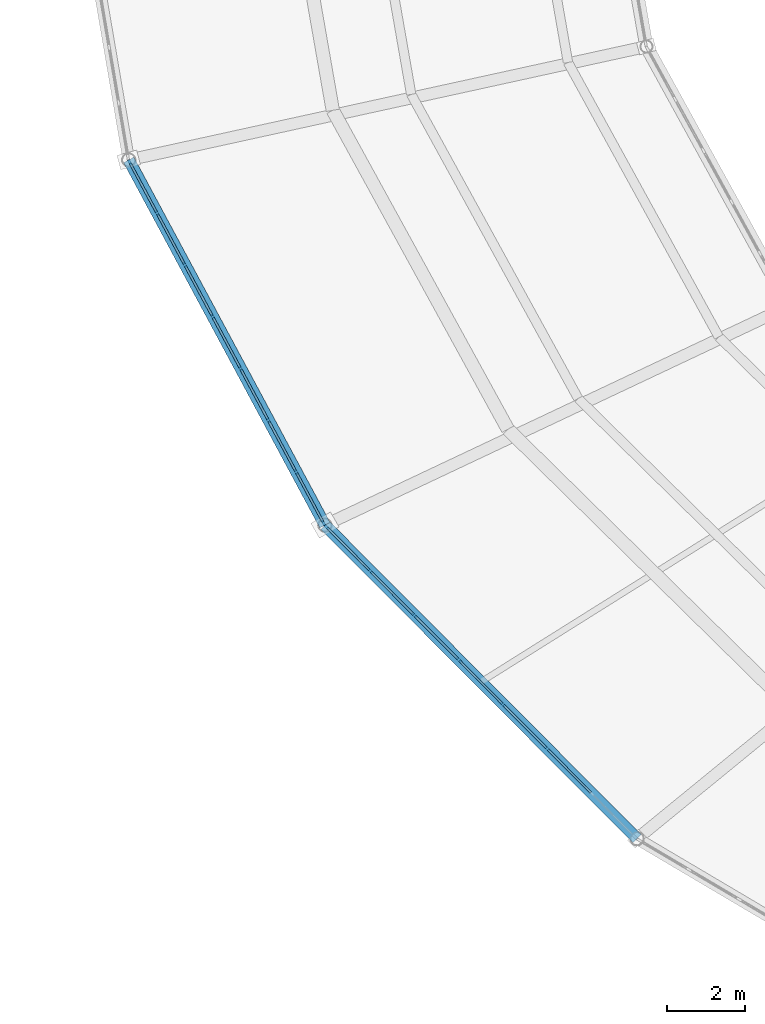
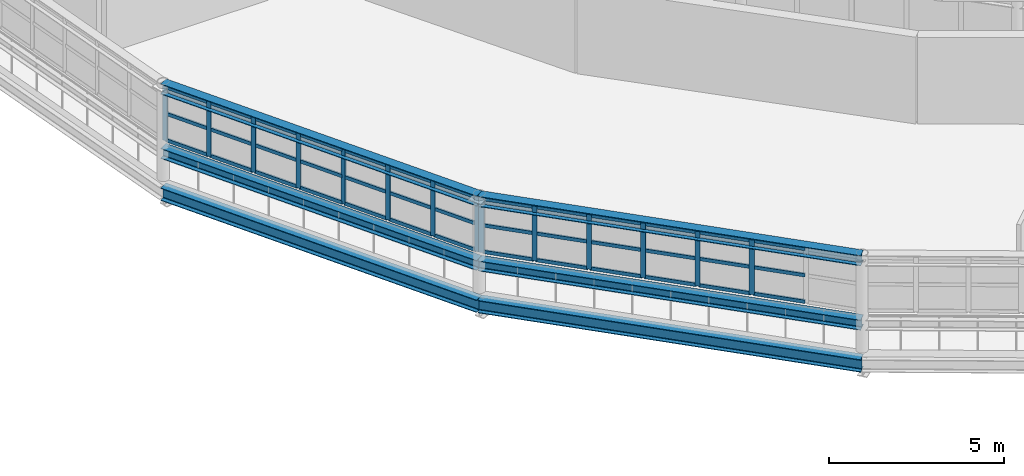
# One storey, part 38 of 123: 53 members, 6 beams, 2 elements without a shape of their own.
"""IFC4 building model written with IfcOpenShell, lengths in metres."""

from ifc_helpers import new_model, si_unit, direction, frame, origin, origin_2d, place, context, subcontext, project, spatial, rectangle, i_section, extrude, material, material_profile, profile_set, type_object, element, aggregate, save


model = new_model("IFC4")

# Units and contexts
model_context = context("Model", 3, precision=1e-05, world=origin(), true_north=direction((0.0, 1.0)))
body_context = subcontext(model_context, "Body", "Model", "MODEL_VIEW")
ifc_project = project(units=[si_unit("LENGTHUNIT", "METRE"), si_unit("AREAUNIT", "SQUARE_METRE"), si_unit("VOLUMEUNIT", "CUBIC_METRE"), si_unit("PLANEANGLEUNIT", "RADIAN"), si_unit("MASSUNIT", "GRAM", prefix="KILO")], contexts=[model_context])

# Site, building, storey
site_placement = place(None, origin())
site = spatial("IfcSite", under=ifc_project, at=site_placement, CompositionType="ELEMENT")
building_placement = place(site_placement, origin())
building = spatial("IfcBuilding", under=site, at=building_placement, Name="Kildeholm Park Wholesale Market", CompositionType="ELEMENT")
storey_placement = place(building_placement, frame((0.0, 0.0, 9.60009765625)))
storey = spatial("IfcBuildingStorey", under=building, at=storey_placement, Name="L02", CompositionType="ELEMENT", Elevation=9.60009765625)

# Beams
ifc_material_1 = material(Name="Steel S355", Category="steel")
ifc_material_profile_1 = material_profile(ifc_material_1, i_section(OverallWidth=0.300048828125, OverallDepth=0.35009765625, WebThickness=0.010009765625, FlangeThickness=0.017578125, FilletRadius=0.027099609375, at=origin_2d()), Name="HEA 360")
ifc_profile_set_1 = profile_set([ifc_material_profile_1], Name="Steel S355")
beam_type_1 = type_object("IfcBeamType", Name="Beam B-R01 HEA 360", PredefinedType="BEAM", material=ifc_profile_set_1)
beam_1_placement = place(storey_placement, frame((50.510986328125, 79.48388671875, 0.9462890625), z_axis=(0.473287580572, -0.880907978211, 0.0), x_axis=(0.880907978211, 0.473287580572, 0.0)))
element("IfcBeam", 1, at=beam_1_placement, inside=storey, type_object=beam_type_1, Name="Beam BM-V1-S1IN-13 BM-0299", PredefinedType="BEAM", context=body_context, shape_type="SweptSolid", body=[
    extrude(i_section(OverallWidth=0.300048828125, OverallDepth=0.35009765625, WebThickness=0.010009765625, FlangeThickness=0.017578125, FilletRadius=0.027099609375, at=origin_2d()), origin(), (0.0, 0.0, 1.0), 10.595947265625),
])
beam_2_placement = place(storey_placement, frame((55.52587890625, 70.14990234375, 0.94580078125), z_axis=(0.705431576708, -0.708778026313, 0.0), x_axis=(0.708778026313, 0.705431576708, 0.0)))
element("IfcBeam", 2, at=beam_2_placement, inside=storey, type_object=beam_type_1, Name="Beam BM-V1-S1IN-14 BM-0305", PredefinedType="BEAM", context=body_context, shape_type="SweptSolid", body=[
    extrude(i_section(OverallWidth=0.300048828125, OverallDepth=0.35009765625, WebThickness=0.010009765625, FlangeThickness=0.017578125, FilletRadius=0.027099609375, at=origin_2d()), origin(), (0.0, 0.0, 1.0), 11.30810546875),
])
ifc_material_profile_2 = material_profile(ifc_material_1, i_section(OverallWidth=0.300048828125, OverallDepth=0.43994140625, WebThickness=0.011474609375, FlangeThickness=0.02099609375, FilletRadius=0.027099609375, at=origin_2d()), Name="HEA 450")
ifc_profile_set_2 = profile_set([ifc_material_profile_2], Name="Steel S355")
beam_type_2 = type_object("IfcBeamType", Name="Beam B-R02 HEA 450", PredefinedType="BEAM", material=ifc_profile_set_2)
beam_3_placement = place(storey_placement, frame((50.510986328125, 79.48388671875, -0.47412109375), z_axis=(0.473287580572, -0.880907978211, 0.0), x_axis=(0.880907978211, 0.473287580572, 0.0)))
element("IfcBeam", 3, at=beam_3_placement, inside=storey, type_object=beam_type_2, Name="Beam BM-V1-L02-CM-13 BM-0124", PredefinedType="BEAM", context=body_context, shape_type="SweptSolid", body=[
    extrude(i_section(OverallWidth=0.300048828125, OverallDepth=0.43994140625, WebThickness=0.011474609375, FlangeThickness=0.02099609375, FilletRadius=0.027099609375, at=origin_2d()), origin(), (0.0, 0.0, 1.0), 10.595947265625),
])
beam_4_placement = place(storey_placement, frame((55.52587890625, 70.14990234375, -0.47412109375), z_axis=(0.705431576708, -0.708778026313, 0.0), x_axis=(0.708778026313, 0.705431576708, 0.0)))
element("IfcBeam", 4, at=beam_4_placement, inside=storey, type_object=beam_type_2, Name="Beam BM-V1-L02-CM-14 BM-0133", PredefinedType="BEAM", context=body_context, shape_type="SweptSolid", body=[
    extrude(i_section(OverallWidth=0.300048828125, OverallDepth=0.43994140625, WebThickness=0.011474609375, FlangeThickness=0.02099609375, FilletRadius=0.027099609375, at=origin_2d()), origin(), (0.0, 0.0, 1.0), 11.30810546875),
])
ifc_material_profile_3 = material_profile(ifc_material_1, i_section(OverallWidth=0.300048828125, OverallDepth=0.360107421875, WebThickness=0.012451171875, FlangeThickness=0.0224609375, FilletRadius=0.027099609375, at=origin_2d()), Name="HEB 360")
ifc_profile_set_3 = profile_set([ifc_material_profile_3], Name="Steel S355")
beam_type_3 = type_object("IfcBeamType", Name="Beam B-R03 HEB 360", PredefinedType="BEAM", material=ifc_profile_set_3)
beam_5_placement = place(storey_placement, frame((50.510986328125, 79.48388671875, 3.189453125), z_axis=(0.473287580572, -0.880907978211, 0.0), x_axis=(0.880907978211, 0.473287580572, 0.0)))
element("IfcBeam", 5, at=beam_5_placement, inside=storey, type_object=beam_type_3, Name="Beam BM-V1-RF-M1-13 BM-0300", PredefinedType="BEAM", context=body_context, shape_type="SweptSolid", body=[
    extrude(i_section(OverallWidth=0.300048828125, OverallDepth=0.360107421875, WebThickness=0.012451171875, FlangeThickness=0.0224609375, FilletRadius=0.027099609375, at=origin_2d()), origin(), (0.0, 0.0, 1.0), 10.595947265625),
])
beam_6_placement = place(storey_placement, frame((55.52587890625, 70.14990234375, 3.188720703125), z_axis=(0.705431576708, -0.708778026313, 0.0), x_axis=(0.708778026313, 0.705431576708, 0.0)))
element("IfcBeam", 6, at=beam_6_placement, inside=storey, type_object=beam_type_3, Name="Beam BM-V1-RF-M1-14 BM-0306", PredefinedType="BEAM", context=body_context, shape_type="SweptSolid", body=[
    extrude(i_section(OverallWidth=0.300048828125, OverallDepth=0.360107421875, WebThickness=0.012451171875, FlangeThickness=0.0224609375, FilletRadius=0.027099609375, at=origin_2d()), origin(), (0.0, 0.0, 1.0), 11.30810546875),
])

# Curtain wall, members
ifc_material_2 = material(Name="Anodised aluminium and low-E double-glazed glass", Category="aluminium")
curtain_wall_type = type_object("IfcCurtainWallType", Name="Clerestory daylight stick curtain wall CW-02", PredefinedType="NOTDEFINED", material=ifc_material_2)
curtain_wall_1_placement = place(storey_placement, origin())
curtain_wall_1 = element("IfcCurtainWall", 7, at=curtain_wall_1_placement, inside=storey, type_object=curtain_wall_type, Name="Curtain wall CW-V1-CL-13 CW-0065", PredefinedType="NOTDEFINED")
ifc_material_3 = material(Name="Anodised aluminium", Category="aluminium")
ifc_material_profile_4 = material_profile(ifc_material_3, rectangle(XDim=0.06005859375, YDim=0.14990234375, at=origin_2d()), Name="CWM 60x150")
ifc_profile_set_4 = profile_set([ifc_material_profile_4], Name="Anodised aluminium")
member_type_1 = type_object("IfcMemberType", Name="Curtain-wall mullion CWM-3 CWM 60x150", PredefinedType="MULLION", material=ifc_profile_set_4)
member_1_placement = place(storey_placement, frame((50.537109375, 79.420654296875, 1.349853515625), z_axis=(0.0, 0.0, 1.0), x_axis=(0.880879905062, 0.473339828092, 0.0)))
member_1 = element("IfcMember", 8, at=member_1_placement, type_object=member_type_1, Name="CW-02 mullion 1 MEM-2154", PredefinedType="MULLION", context=body_context, shape_type="SweptSolid", body=[
    extrude(rectangle(XDim=0.06005859375, YDim=0.14990234375, at=origin_2d()), origin(), (0.0, 0.0, 1.0), 1.900146484375),
])
member_2_placement = place(storey_placement, frame((51.234130859375, 78.12353515625, 1.349853515625), z_axis=(0.0, 0.0, 1.0), x_axis=(0.880879905062, 0.473339828092, 0.0)))
member_2 = element("IfcMember", 9, at=member_2_placement, type_object=member_type_1, Name="CW-02 mullion 2 MEM-2155", PredefinedType="MULLION", context=body_context, shape_type="SweptSolid", body=[
    extrude(rectangle(XDim=0.06005859375, YDim=0.14990234375, at=origin_2d()), origin(), (0.0, 0.0, 1.0), 1.900146484375),
])
member_3_placement = place(storey_placement, frame((51.9453125, 76.800048828125, 1.349853515625), z_axis=(0.0, 0.0, 1.0), x_axis=(0.880879905062, 0.473339828092, 0.0)))
member_3 = element("IfcMember", 10, at=member_3_placement, type_object=member_type_1, Name="CW-02 mullion 3 MEM-2156", PredefinedType="MULLION", context=body_context, shape_type="SweptSolid", body=[
    extrude(rectangle(XDim=0.06005859375, YDim=0.14990234375, at=origin_2d()), origin(), (0.0, 0.0, 1.0), 1.900146484375),
])
member_4_placement = place(storey_placement, frame((52.656494140625, 75.476806640625, 1.349853515625), z_axis=(0.0, 0.0, 1.0), x_axis=(0.880879905062, 0.473339828092, 0.0)))
member_4 = element("IfcMember", 11, at=member_4_placement, type_object=member_type_1, Name="CW-02 mullion 4 MEM-2157", PredefinedType="MULLION", context=body_context, shape_type="SweptSolid", body=[
    extrude(rectangle(XDim=0.06005859375, YDim=0.14990234375, at=origin_2d()), origin(), (0.0, 0.0, 1.0), 1.900146484375),
])
member_5_placement = place(storey_placement, frame((53.36767578125, 74.1533203125, 1.349853515625), z_axis=(0.0, 0.0, 1.0), x_axis=(0.880879905062, 0.473339828092, 0.0)))
member_5 = element("IfcMember", 12, at=member_5_placement, type_object=member_type_1, Name="CW-02 mullion 5 MEM-2158", PredefinedType="MULLION", context=body_context, shape_type="SweptSolid", body=[
    extrude(rectangle(XDim=0.06005859375, YDim=0.14990234375, at=origin_2d()), origin(), (0.0, 0.0, 1.0), 1.900146484375),
])
member_6_placement = place(storey_placement, frame((54.07861328125, 72.829833984375, 1.349853515625), z_axis=(0.0, 0.0, 1.0), x_axis=(0.880879905062, 0.473339828092, 0.0)))
member_6 = element("IfcMember", 13, at=member_6_placement, type_object=member_type_1, Name="CW-02 mullion 6 MEM-2159", PredefinedType="MULLION", context=body_context, shape_type="SweptSolid", body=[
    extrude(rectangle(XDim=0.06005859375, YDim=0.14990234375, at=origin_2d()), origin(), (0.0, 0.0, 1.0), 1.900146484375),
])
member_7_placement = place(storey_placement, frame((54.789794921875, 71.50634765625, 1.349853515625), z_axis=(0.0, 0.0, 1.0), x_axis=(0.880879905062, 0.473339828092, 0.0)))
member_7 = element("IfcMember", 14, at=member_7_placement, type_object=member_type_1, Name="CW-02 mullion 7 MEM-2160", PredefinedType="MULLION", context=body_context, shape_type="SweptSolid", body=[
    extrude(rectangle(XDim=0.06005859375, YDim=0.14990234375, at=origin_2d()), origin(), (0.0, 0.0, 1.0), 1.900146484375),
])
member_8_placement = place(storey_placement, frame((55.48681640625, 70.20947265625, 1.349853515625), z_axis=(0.0, 0.0, 1.0), x_axis=(0.880879905062, 0.473339828092, 0.0)))
member_8 = element("IfcMember", 15, at=member_8_placement, type_object=member_type_1, Name="CW-02 mullion 8 MEM-2161", PredefinedType="MULLION", context=body_context, shape_type="SweptSolid", body=[
    extrude(rectangle(XDim=0.06005859375, YDim=0.14990234375, at=origin_2d()), origin(), (0.0, 0.0, 1.0), 1.900146484375),
])

curtain_wall_2_placement = place(storey_placement, origin())
curtain_wall_2 = element("IfcCurtainWall", 16, at=curtain_wall_2_placement, inside=storey, type_object=curtain_wall_type, Name="Curtain wall CW-V1-CL-14 CW-0070", PredefinedType="NOTDEFINED")
member_9_placement = place(storey_placement, frame((55.570068359375, 70.09765625, 1.349853515625), z_axis=(0.0, 0.0, 1.0), x_axis=(0.708796820959, 0.705412692399, 0.0)))
member_9 = element("IfcMember", 17, at=member_9_placement, type_object=member_type_1, Name="CW-02 mullion 1 MEM-2283", PredefinedType="MULLION", context=body_context, shape_type="SweptSolid", body=[
    extrude(rectangle(XDim=0.06005859375, YDim=0.14990234375, at=origin_2d()), origin(), (0.0, 0.0, 1.0), 1.900146484375),
])
member_10_placement = place(storey_placement, frame((56.6806640625, 68.98193359375, 1.349853515625), z_axis=(0.0, 0.0, 1.0), x_axis=(0.708796820959, 0.705412692399, 0.0)))
member_10 = element("IfcMember", 18, at=member_10_placement, type_object=member_type_1, Name="CW-02 mullion 2 MEM-2284", PredefinedType="MULLION", context=body_context, shape_type="SweptSolid", body=[
    extrude(rectangle(XDim=0.06005859375, YDim=0.14990234375, at=origin_2d()), origin(), (0.0, 0.0, 1.0), 1.900146484375),
])
member_11_placement = place(storey_placement, frame((57.812255859375, 67.844970703125, 1.349853515625), z_axis=(0.0, 0.0, 1.0), x_axis=(0.708796820959, 0.705412692399, 0.0)))
member_11 = element("IfcMember", 19, at=member_11_placement, type_object=member_type_1, Name="CW-02 mullion 3 MEM-2285", PredefinedType="MULLION", context=body_context, shape_type="SweptSolid", body=[
    extrude(rectangle(XDim=0.06005859375, YDim=0.14990234375, at=origin_2d()), origin(), (0.0, 0.0, 1.0), 1.900146484375),
])
member_12_placement = place(storey_placement, frame((58.943603515625, 66.7080078125, 1.349853515625), z_axis=(0.0, 0.0, 1.0), x_axis=(0.708796820959, 0.705412692399, 0.0)))
member_12 = element("IfcMember", 20, at=member_12_placement, type_object=member_type_1, Name="CW-02 mullion 4 MEM-2286", PredefinedType="MULLION", context=body_context, shape_type="SweptSolid", body=[
    extrude(rectangle(XDim=0.06005859375, YDim=0.14990234375, at=origin_2d()), origin(), (0.0, 0.0, 1.0), 1.900146484375),
])
member_13_placement = place(storey_placement, frame((60.0751953125, 65.571044921875, 1.349853515625), z_axis=(0.0, 0.0, 1.0), x_axis=(0.708796820959, 0.705412692399, 0.0)))
member_13 = element("IfcMember", 21, at=member_13_placement, type_object=member_type_1, Name="CW-02 mullion 5 MEM-2287", PredefinedType="MULLION", context=body_context, shape_type="SweptSolid", body=[
    extrude(rectangle(XDim=0.06005859375, YDim=0.14990234375, at=origin_2d()), origin(), (0.0, 0.0, 1.0), 1.900146484375),
])
member_14_placement = place(storey_placement, frame((61.206787109375, 64.43408203125, 1.349853515625), z_axis=(0.0, 0.0, 1.0), x_axis=(0.708796820959, 0.705412692399, 0.0)))
member_14 = element("IfcMember", 22, at=member_14_placement, type_object=member_type_1, Name="CW-02 mullion 6 MEM-2288", PredefinedType="MULLION", context=body_context, shape_type="SweptSolid", body=[
    extrude(rectangle(XDim=0.06005859375, YDim=0.14990234375, at=origin_2d()), origin(), (0.0, 0.0, 1.0), 1.900146484375),
])

# Member
ifc_material_profile_5 = material_profile(ifc_material_3, rectangle(XDim=0.06005859375, YDim=0.1201171875, at=origin_2d()), Name="CWT 60x120")
ifc_profile_set_5 = profile_set([ifc_material_profile_5], Name="Anodised aluminium")
member_type_2 = type_object("IfcMemberType", Name="Curtain-wall transom CWT-3 CWT 60x120", PredefinedType="USERDEFINED", material=ifc_profile_set_5)
member_15_placement = place(storey_placement, frame((50.551513671875, 79.39404296875, 1.3798828125), z_axis=(0.473295580146, -0.880903680214, 0.0), x_axis=(0.880903680214, 0.473295580146, 0.0)))
member_15 = element("IfcMember", 23, at=member_15_placement, type_object=member_type_2, Name="CW-02 transom 1.1 MEM-2162", ObjectType="TRANSOM", PredefinedType="USERDEFINED", context=body_context, shape_type="SweptSolid", body=[
    extrude(rectangle(XDim=0.06005859375, YDim=0.1201171875, at=origin_2d()), origin(), (0.0, 0.0, 1.0), 1.412353515625),
])

member_16_placement = place(storey_placement, frame((50.551513671875, 79.39404296875, 2.2998046875), z_axis=(0.473295580146, -0.880903680214, 0.0), x_axis=(0.880903680214, 0.473295580146, 0.0)))
member_16 = element("IfcMember", 24, at=member_16_placement, type_object=member_type_2, Name="CW-02 transom 1.2 MEM-2163", ObjectType="TRANSOM", PredefinedType="USERDEFINED", context=body_context, shape_type="SweptSolid", body=[
    extrude(rectangle(XDim=0.06005859375, YDim=0.1201171875, at=origin_2d()), origin(), (0.0, 0.0, 1.0), 1.412353515625),
])

member_17_placement = place(storey_placement, frame((50.551513671875, 79.39404296875, 3.219970703125), z_axis=(0.473295580146, -0.880903680214, 0.0), x_axis=(0.880903680214, 0.473295580146, 0.0)))
member_17 = element("IfcMember", 25, at=member_17_placement, type_object=member_type_2, Name="CW-02 transom 1.3 MEM-2164", ObjectType="TRANSOM", PredefinedType="USERDEFINED", context=body_context, shape_type="SweptSolid", body=[
    extrude(rectangle(XDim=0.06005859375, YDim=0.1201171875, at=origin_2d()), origin(), (0.0, 0.0, 1.0), 1.412353515625),
])

member_18_placement = place(storey_placement, frame((51.248291015625, 78.09716796875, 1.3798828125), z_axis=(0.473423415048, -0.880834984594, 0.0), x_axis=(0.880834984594, 0.473423415048, 0.0)))
member_18 = element("IfcMember", 26, at=member_18_placement, type_object=member_type_2, Name="CW-02 transom 2.1 MEM-2165", ObjectType="TRANSOM", PredefinedType="USERDEFINED", context=body_context, shape_type="SweptSolid", body=[
    extrude(rectangle(XDim=0.06005859375, YDim=0.1201171875, at=origin_2d()), origin(), (0.0, 0.0, 1.0), 1.4423828125),
])

member_19_placement = place(storey_placement, frame((51.248291015625, 78.09716796875, 2.2998046875), z_axis=(0.473423415048, -0.880834984594, 0.0), x_axis=(0.880834984594, 0.473423415048, 0.0)))
member_19 = element("IfcMember", 27, at=member_19_placement, type_object=member_type_2, Name="CW-02 transom 2.2 MEM-2166", ObjectType="TRANSOM", PredefinedType="USERDEFINED", context=body_context, shape_type="SweptSolid", body=[
    extrude(rectangle(XDim=0.06005859375, YDim=0.1201171875, at=origin_2d()), origin(), (0.0, 0.0, 1.0), 1.4423828125),
])

member_20_placement = place(storey_placement, frame((51.248291015625, 78.09716796875, 3.219970703125), z_axis=(0.473423415048, -0.880834984594, 0.0), x_axis=(0.880834984594, 0.473423415048, 0.0)))
member_20 = element("IfcMember", 28, at=member_20_placement, type_object=member_type_2, Name="CW-02 transom 2.3 MEM-2167", ObjectType="TRANSOM", PredefinedType="USERDEFINED", context=body_context, shape_type="SweptSolid", body=[
    extrude(rectangle(XDim=0.06005859375, YDim=0.1201171875, at=origin_2d()), origin(), (0.0, 0.0, 1.0), 1.4423828125),
])

member_21_placement = place(storey_placement, frame((51.95947265625, 76.773681640625, 1.3798828125), z_axis=(0.473423415048, -0.880834984594, 0.0), x_axis=(0.880834984594, 0.473423415048, 0.0)))
member_21 = element("IfcMember", 29, at=member_21_placement, type_object=member_type_2, Name="CW-02 transom 3.1 MEM-2168", ObjectType="TRANSOM", PredefinedType="USERDEFINED", context=body_context, shape_type="SweptSolid", body=[
    extrude(rectangle(XDim=0.06005859375, YDim=0.1201171875, at=origin_2d()), origin(), (0.0, 0.0, 1.0), 1.4423828125),
])

member_22_placement = place(storey_placement, frame((51.95947265625, 76.773681640625, 2.2998046875), z_axis=(0.473423415048, -0.880834984594, 0.0), x_axis=(0.880834984594, 0.473423415048, 0.0)))
member_22 = element("IfcMember", 30, at=member_22_placement, type_object=member_type_2, Name="CW-02 transom 3.2 MEM-2169", ObjectType="TRANSOM", PredefinedType="USERDEFINED", context=body_context, shape_type="SweptSolid", body=[
    extrude(rectangle(XDim=0.06005859375, YDim=0.1201171875, at=origin_2d()), origin(), (0.0, 0.0, 1.0), 1.4423828125),
])

member_23_placement = place(storey_placement, frame((51.95947265625, 76.773681640625, 3.219970703125), z_axis=(0.473423415048, -0.880834984594, 0.0), x_axis=(0.880834984594, 0.473423415048, 0.0)))
member_23 = element("IfcMember", 31, at=member_23_placement, type_object=member_type_2, Name="CW-02 transom 3.3 MEM-2170", ObjectType="TRANSOM", PredefinedType="USERDEFINED", context=body_context, shape_type="SweptSolid", body=[
    extrude(rectangle(XDim=0.06005859375, YDim=0.1201171875, at=origin_2d()), origin(), (0.0, 0.0, 1.0), 1.4423828125),
])

member_24_placement = place(storey_placement, frame((52.670654296875, 75.4501953125, 1.3798828125), z_axis=(0.473292074574, -0.880905563693, 0.0), x_axis=(0.880905563693, 0.473292074574, 0.0)))
member_24 = element("IfcMember", 32, at=member_24_placement, type_object=member_type_2, Name="CW-02 transom 4.1 MEM-2171", ObjectType="TRANSOM", PredefinedType="USERDEFINED", context=body_context, shape_type="SweptSolid", body=[
    extrude(rectangle(XDim=0.06005859375, YDim=0.1201171875, at=origin_2d()), origin(), (0.0, 0.0, 1.0), 1.4423828125),
])

member_25_placement = place(storey_placement, frame((52.670654296875, 75.4501953125, 2.2998046875), z_axis=(0.473292074574, -0.880905563693, 0.0), x_axis=(0.880905563693, 0.473292074574, 0.0)))
member_25 = element("IfcMember", 33, at=member_25_placement, type_object=member_type_2, Name="CW-02 transom 4.2 MEM-2172", ObjectType="TRANSOM", PredefinedType="USERDEFINED", context=body_context, shape_type="SweptSolid", body=[
    extrude(rectangle(XDim=0.06005859375, YDim=0.1201171875, at=origin_2d()), origin(), (0.0, 0.0, 1.0), 1.4423828125),
])

member_26_placement = place(storey_placement, frame((52.670654296875, 75.4501953125, 3.219970703125), z_axis=(0.473292074574, -0.880905563693, 0.0), x_axis=(0.880905563693, 0.473292074574, 0.0)))
member_26 = element("IfcMember", 34, at=member_26_placement, type_object=member_type_2, Name="CW-02 transom 4.3 MEM-2173", ObjectType="TRANSOM", PredefinedType="USERDEFINED", context=body_context, shape_type="SweptSolid", body=[
    extrude(rectangle(XDim=0.06005859375, YDim=0.1201171875, at=origin_2d()), origin(), (0.0, 0.0, 1.0), 1.4423828125),
])

member_27_placement = place(storey_placement, frame((53.3818359375, 74.126953125, 1.3798828125), z_axis=(0.473221508617, -0.880943473659, 0.0), x_axis=(0.880943473659, 0.473221508617, 0.0)))
member_27 = element("IfcMember", 35, at=member_27_placement, type_object=member_type_2, Name="CW-02 transom 5.1 MEM-2174", ObjectType="TRANSOM", PredefinedType="USERDEFINED", context=body_context, shape_type="SweptSolid", body=[
    extrude(rectangle(XDim=0.06005859375, YDim=0.1201171875, at=origin_2d()), origin(), (0.0, 0.0, 1.0), 1.4423828125),
])

member_28_placement = place(storey_placement, frame((53.3818359375, 74.126953125, 2.2998046875), z_axis=(0.473221508617, -0.880943473659, 0.0), x_axis=(0.880943473659, 0.473221508617, 0.0)))
member_28 = element("IfcMember", 36, at=member_28_placement, type_object=member_type_2, Name="CW-02 transom 5.2 MEM-2175", ObjectType="TRANSOM", PredefinedType="USERDEFINED", context=body_context, shape_type="SweptSolid", body=[
    extrude(rectangle(XDim=0.06005859375, YDim=0.1201171875, at=origin_2d()), origin(), (0.0, 0.0, 1.0), 1.4423828125),
])

member_29_placement = place(storey_placement, frame((53.3818359375, 74.126953125, 3.219970703125), z_axis=(0.473221508617, -0.880943473659, 0.0), x_axis=(0.880943473659, 0.473221508617, 0.0)))
member_29 = element("IfcMember", 37, at=member_29_placement, type_object=member_type_2, Name="CW-02 transom 5.3 MEM-2176", ObjectType="TRANSOM", PredefinedType="USERDEFINED", context=body_context, shape_type="SweptSolid", body=[
    extrude(rectangle(XDim=0.06005859375, YDim=0.1201171875, at=origin_2d()), origin(), (0.0, 0.0, 1.0), 1.4423828125),
])

member_30_placement = place(storey_placement, frame((54.093017578125, 72.803466796875, 1.3798828125), z_axis=(0.473292074574, -0.880905563693, 0.0), x_axis=(0.880905563693, 0.473292074574, 0.0)))
member_30 = element("IfcMember", 38, at=member_30_placement, type_object=member_type_2, Name="CW-02 transom 6.1 MEM-2177", ObjectType="TRANSOM", PredefinedType="USERDEFINED", context=body_context, shape_type="SweptSolid", body=[
    extrude(rectangle(XDim=0.06005859375, YDim=0.1201171875, at=origin_2d()), origin(), (0.0, 0.0, 1.0), 1.4423828125),
])

member_31_placement = place(storey_placement, frame((54.093017578125, 72.803466796875, 2.2998046875), z_axis=(0.473292074574, -0.880905563693, 0.0), x_axis=(0.880905563693, 0.473292074574, 0.0)))
member_31 = element("IfcMember", 39, at=member_31_placement, type_object=member_type_2, Name="CW-02 transom 6.2 MEM-2178", ObjectType="TRANSOM", PredefinedType="USERDEFINED", context=body_context, shape_type="SweptSolid", body=[
    extrude(rectangle(XDim=0.06005859375, YDim=0.1201171875, at=origin_2d()), origin(), (0.0, 0.0, 1.0), 1.4423828125),
])

member_32_placement = place(storey_placement, frame((54.093017578125, 72.803466796875, 3.219970703125), z_axis=(0.473292074574, -0.880905563693, 0.0), x_axis=(0.880905563693, 0.473292074574, 0.0)))
member_32 = element("IfcMember", 40, at=member_32_placement, type_object=member_type_2, Name="CW-02 transom 6.3 MEM-2179", ObjectType="TRANSOM", PredefinedType="USERDEFINED", context=body_context, shape_type="SweptSolid", body=[
    extrude(rectangle(XDim=0.06005859375, YDim=0.1201171875, at=origin_2d()), origin(), (0.0, 0.0, 1.0), 1.4423828125),
])

member_33_placement = place(storey_placement, frame((54.803955078125, 71.47998046875, 1.3798828125), z_axis=(0.473429702928, -0.88083160501, 0.0), x_axis=(0.88083160501, 0.473429702928, 0.0)))
member_33 = element("IfcMember", 41, at=member_33_placement, type_object=member_type_2, Name="CW-02 transom 7.1 MEM-2180", ObjectType="TRANSOM", PredefinedType="USERDEFINED", context=body_context, shape_type="SweptSolid", body=[
    extrude(rectangle(XDim=0.06005859375, YDim=0.1201171875, at=origin_2d()), origin(), (0.0, 0.0, 1.0), 1.412353515625),
])

member_34_placement = place(storey_placement, frame((54.803955078125, 71.47998046875, 2.2998046875), z_axis=(0.473429702928, -0.88083160501, 0.0), x_axis=(0.88083160501, 0.473429702928, 0.0)))
member_34 = element("IfcMember", 42, at=member_34_placement, type_object=member_type_2, Name="CW-02 transom 7.2 MEM-2181", ObjectType="TRANSOM", PredefinedType="USERDEFINED", context=body_context, shape_type="SweptSolid", body=[
    extrude(rectangle(XDim=0.06005859375, YDim=0.1201171875, at=origin_2d()), origin(), (0.0, 0.0, 1.0), 1.412353515625),
])

member_35_placement = place(storey_placement, frame((54.803955078125, 71.47998046875, 3.219970703125), z_axis=(0.473429702928, -0.88083160501, 0.0), x_axis=(0.88083160501, 0.473429702928, 0.0)))
member_35 = element("IfcMember", 43, at=member_35_placement, type_object=member_type_2, Name="CW-02 transom 7.3 MEM-2182", ObjectType="TRANSOM", PredefinedType="USERDEFINED", context=body_context, shape_type="SweptSolid", body=[
    extrude(rectangle(XDim=0.06005859375, YDim=0.1201171875, at=origin_2d()), origin(), (0.0, 0.0, 1.0), 1.412353515625),
])

aggregate(curtain_wall_1, [member_1, member_2, member_3, member_4, member_5, member_6, member_7, member_8, member_15, member_16, member_17, member_18, member_19, member_20, member_21, member_22, member_23, member_24, member_25, member_26, member_27, member_28, member_29, member_30, member_31, member_32, member_33, member_34, member_35])

member_36_placement = place(storey_placement, frame((55.59130859375, 70.076416015625, 1.3798828125), z_axis=(0.705411766229, -0.708797742707, 0.0), x_axis=(0.708797742707, 0.705411766229, 0.0)))
member_36 = element("IfcMember", 44, at=member_36_placement, type_object=member_type_2, Name="CW-02 transom 1.1 MEM-2291", ObjectType="TRANSOM", PredefinedType="USERDEFINED", context=body_context, shape_type="SweptSolid", body=[
    extrude(rectangle(XDim=0.06005859375, YDim=0.1201171875, at=origin_2d()), origin(), (0.0, 0.0, 1.0), 1.51416015625),
])

member_37_placement = place(storey_placement, frame((55.59130859375, 70.076416015625, 2.2998046875), z_axis=(0.705411766229, -0.708797742707, 0.0), x_axis=(0.708797742707, 0.705411766229, 0.0)))
member_37 = element("IfcMember", 45, at=member_37_placement, type_object=member_type_2, Name="CW-02 transom 1.2 MEM-2292", ObjectType="TRANSOM", PredefinedType="USERDEFINED", context=body_context, shape_type="SweptSolid", body=[
    extrude(rectangle(XDim=0.06005859375, YDim=0.1201171875, at=origin_2d()), origin(), (0.0, 0.0, 1.0), 1.51416015625),
])

member_38_placement = place(storey_placement, frame((55.59130859375, 70.076416015625, 3.219970703125), z_axis=(0.705411766229, -0.708797742707, 0.0), x_axis=(0.708797742707, 0.705411766229, 0.0)))
member_38 = element("IfcMember", 46, at=member_38_placement, type_object=member_type_2, Name="CW-02 transom 1.3 MEM-2293", ObjectType="TRANSOM", PredefinedType="USERDEFINED", context=body_context, shape_type="SweptSolid", body=[
    extrude(rectangle(XDim=0.06005859375, YDim=0.1201171875, at=origin_2d()), origin(), (0.0, 0.0, 1.0), 1.51416015625),
])

member_39_placement = place(storey_placement, frame((56.70166015625, 68.960693359375, 1.3798828125), z_axis=(0.705444776486, -0.708764888612, 0.0), x_axis=(0.708764888612, 0.705444776486, 0.0)))
member_39 = element("IfcMember", 47, at=member_39_placement, type_object=member_type_2, Name="CW-02 transom 2.1 MEM-2294", ObjectType="TRANSOM", PredefinedType="USERDEFINED", context=body_context, shape_type="SweptSolid", body=[
    extrude(rectangle(XDim=0.06005859375, YDim=0.1201171875, at=origin_2d()), origin(), (0.0, 0.0, 1.0), 1.544189453125),
])

member_40_placement = place(storey_placement, frame((56.70166015625, 68.960693359375, 2.2998046875), z_axis=(0.705444776486, -0.708764888612, 0.0), x_axis=(0.708764888612, 0.705444776486, 0.0)))
member_40 = element("IfcMember", 48, at=member_40_placement, type_object=member_type_2, Name="CW-02 transom 2.2 MEM-2295", ObjectType="TRANSOM", PredefinedType="USERDEFINED", context=body_context, shape_type="SweptSolid", body=[
    extrude(rectangle(XDim=0.06005859375, YDim=0.1201171875, at=origin_2d()), origin(), (0.0, 0.0, 1.0), 1.544189453125),
])

member_41_placement = place(storey_placement, frame((56.70166015625, 68.960693359375, 3.219970703125), z_axis=(0.705444776486, -0.708764888612, 0.0), x_axis=(0.708764888612, 0.705444776486, 0.0)))
member_41 = element("IfcMember", 49, at=member_41_placement, type_object=member_type_2, Name="CW-02 transom 2.3 MEM-2296", ObjectType="TRANSOM", PredefinedType="USERDEFINED", context=body_context, shape_type="SweptSolid", body=[
    extrude(rectangle(XDim=0.06005859375, YDim=0.1201171875, at=origin_2d()), origin(), (0.0, 0.0, 1.0), 1.544189453125),
])

member_42_placement = place(storey_placement, frame((57.833251953125, 67.82373046875, 1.3798828125), z_axis=(0.705444776486, -0.708764888612, 0.0), x_axis=(0.708764888612, 0.705444776486, 0.0)))
member_42 = element("IfcMember", 50, at=member_42_placement, type_object=member_type_2, Name="CW-02 transom 3.1 MEM-2297", ObjectType="TRANSOM", PredefinedType="USERDEFINED", context=body_context, shape_type="SweptSolid", body=[
    extrude(rectangle(XDim=0.06005859375, YDim=0.1201171875, at=origin_2d()), origin(), (0.0, 0.0, 1.0), 1.544189453125),
])

member_43_placement = place(storey_placement, frame((57.833251953125, 67.82373046875, 2.2998046875), z_axis=(0.705444776486, -0.708764888612, 0.0), x_axis=(0.708764888612, 0.705444776486, 0.0)))
member_43 = element("IfcMember", 51, at=member_43_placement, type_object=member_type_2, Name="CW-02 transom 3.2 MEM-2298", ObjectType="TRANSOM", PredefinedType="USERDEFINED", context=body_context, shape_type="SweptSolid", body=[
    extrude(rectangle(XDim=0.06005859375, YDim=0.1201171875, at=origin_2d()), origin(), (0.0, 0.0, 1.0), 1.544189453125),
])

member_44_placement = place(storey_placement, frame((57.833251953125, 67.82373046875, 3.219970703125), z_axis=(0.705444776486, -0.708764888612, 0.0), x_axis=(0.708764888612, 0.705444776486, 0.0)))
member_44 = element("IfcMember", 52, at=member_44_placement, type_object=member_type_2, Name="CW-02 transom 3.3 MEM-2299", ObjectType="TRANSOM", PredefinedType="USERDEFINED", context=body_context, shape_type="SweptSolid", body=[
    extrude(rectangle(XDim=0.06005859375, YDim=0.1201171875, at=origin_2d()), origin(), (0.0, 0.0, 1.0), 1.544189453125),
])

member_45_placement = place(storey_placement, frame((58.96484375, 66.686767578125, 1.3798828125), z_axis=(0.705444776486, -0.708764888612, 0.0), x_axis=(0.708764888612, 0.705444776486, 0.0)))
member_45 = element("IfcMember", 53, at=member_45_placement, type_object=member_type_2, Name="CW-02 transom 4.1 MEM-2300", ObjectType="TRANSOM", PredefinedType="USERDEFINED", context=body_context, shape_type="SweptSolid", body=[
    extrude(rectangle(XDim=0.06005859375, YDim=0.1201171875, at=origin_2d()), origin(), (0.0, 0.0, 1.0), 1.544189453125),
])

member_46_placement = place(storey_placement, frame((58.96484375, 66.686767578125, 2.2998046875), z_axis=(0.705444776486, -0.708764888612, 0.0), x_axis=(0.708764888612, 0.705444776486, 0.0)))
member_46 = element("IfcMember", 54, at=member_46_placement, type_object=member_type_2, Name="CW-02 transom 4.2 MEM-2301", ObjectType="TRANSOM", PredefinedType="USERDEFINED", context=body_context, shape_type="SweptSolid", body=[
    extrude(rectangle(XDim=0.06005859375, YDim=0.1201171875, at=origin_2d()), origin(), (0.0, 0.0, 1.0), 1.544189453125),
])

member_47_placement = place(storey_placement, frame((58.96484375, 66.686767578125, 3.219970703125), z_axis=(0.705444776486, -0.708764888612, 0.0), x_axis=(0.708764888612, 0.705444776486, 0.0)))
member_47 = element("IfcMember", 55, at=member_47_placement, type_object=member_type_2, Name="CW-02 transom 4.3 MEM-2302", ObjectType="TRANSOM", PredefinedType="USERDEFINED", context=body_context, shape_type="SweptSolid", body=[
    extrude(rectangle(XDim=0.06005859375, YDim=0.1201171875, at=origin_2d()), origin(), (0.0, 0.0, 1.0), 1.544189453125),
])

member_48_placement = place(storey_placement, frame((60.096435546875, 65.5498046875, 1.3798828125), z_axis=(0.705444776486, -0.708764888612, 0.0), x_axis=(0.708764888612, 0.705444776486, 0.0)))
member_48 = element("IfcMember", 56, at=member_48_placement, type_object=member_type_2, Name="CW-02 transom 5.1 MEM-2303", ObjectType="TRANSOM", PredefinedType="USERDEFINED", context=body_context, shape_type="SweptSolid", body=[
    extrude(rectangle(XDim=0.06005859375, YDim=0.1201171875, at=origin_2d()), origin(), (0.0, 0.0, 1.0), 1.544189453125),
])

member_49_placement = place(storey_placement, frame((60.096435546875, 65.5498046875, 2.2998046875), z_axis=(0.705444776486, -0.708764888612, 0.0), x_axis=(0.708764888612, 0.705444776486, 0.0)))
member_49 = element("IfcMember", 57, at=member_49_placement, type_object=member_type_2, Name="CW-02 transom 5.2 MEM-2304", ObjectType="TRANSOM", PredefinedType="USERDEFINED", context=body_context, shape_type="SweptSolid", body=[
    extrude(rectangle(XDim=0.06005859375, YDim=0.1201171875, at=origin_2d()), origin(), (0.0, 0.0, 1.0), 1.544189453125),
])

member_50_placement = place(storey_placement, frame((60.096435546875, 65.5498046875, 3.219970703125), z_axis=(0.705444776486, -0.708764888612, 0.0), x_axis=(0.708764888612, 0.705444776486, 0.0)))
member_50 = element("IfcMember", 58, at=member_50_placement, type_object=member_type_2, Name="CW-02 transom 5.3 MEM-2305", ObjectType="TRANSOM", PredefinedType="USERDEFINED", context=body_context, shape_type="SweptSolid", body=[
    extrude(rectangle(XDim=0.06005859375, YDim=0.1201171875, at=origin_2d()), origin(), (0.0, 0.0, 1.0), 1.544189453125),
])

member_51_placement = place(storey_placement, frame((61.22802734375, 64.412841796875, 1.3798828125), z_axis=(0.705444776486, -0.708764888612, 0.0), x_axis=(0.708764888612, 0.705444776486, 0.0)))
member_51 = element("IfcMember", 59, at=member_51_placement, type_object=member_type_2, Name="CW-02 transom 6.1 MEM-2306", ObjectType="TRANSOM", PredefinedType="USERDEFINED", context=body_context, shape_type="SweptSolid", body=[
    extrude(rectangle(XDim=0.06005859375, YDim=0.1201171875, at=origin_2d()), origin(), (0.0, 0.0, 1.0), 1.544189453125),
])

member_52_placement = place(storey_placement, frame((61.22802734375, 64.412841796875, 2.2998046875), z_axis=(0.705444776486, -0.708764888612, 0.0), x_axis=(0.708764888612, 0.705444776486, 0.0)))
member_52 = element("IfcMember", 60, at=member_52_placement, type_object=member_type_2, Name="CW-02 transom 6.2 MEM-2307", ObjectType="TRANSOM", PredefinedType="USERDEFINED", context=body_context, shape_type="SweptSolid", body=[
    extrude(rectangle(XDim=0.06005859375, YDim=0.1201171875, at=origin_2d()), origin(), (0.0, 0.0, 1.0), 1.544189453125),
])

member_53_placement = place(storey_placement, frame((61.22802734375, 64.412841796875, 3.219970703125), z_axis=(0.705444776486, -0.708764888612, 0.0), x_axis=(0.708764888612, 0.705444776486, 0.0)))
member_53 = element("IfcMember", 61, at=member_53_placement, type_object=member_type_2, Name="CW-02 transom 6.3 MEM-2308", ObjectType="TRANSOM", PredefinedType="USERDEFINED", context=body_context, shape_type="SweptSolid", body=[
    extrude(rectangle(XDim=0.06005859375, YDim=0.1201171875, at=origin_2d()), origin(), (0.0, 0.0, 1.0), 1.544189453125),
])

aggregate(curtain_wall_2, [member_9, member_10, member_11, member_12, member_13, member_14, member_36, member_37, member_38, member_39, member_40, member_41, member_42, member_43, member_44, member_45, member_46, member_47, member_48, member_49, member_50, member_51, member_52, member_53])

save(model, "model.ifc")
